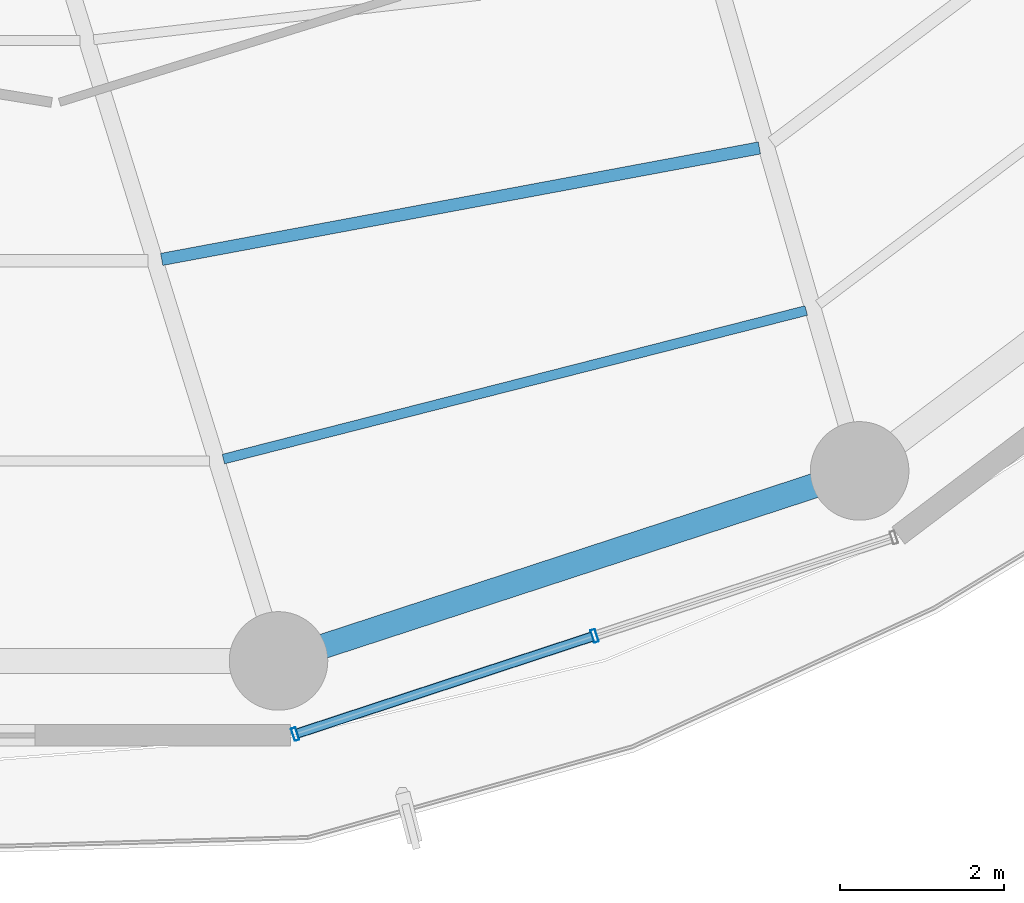
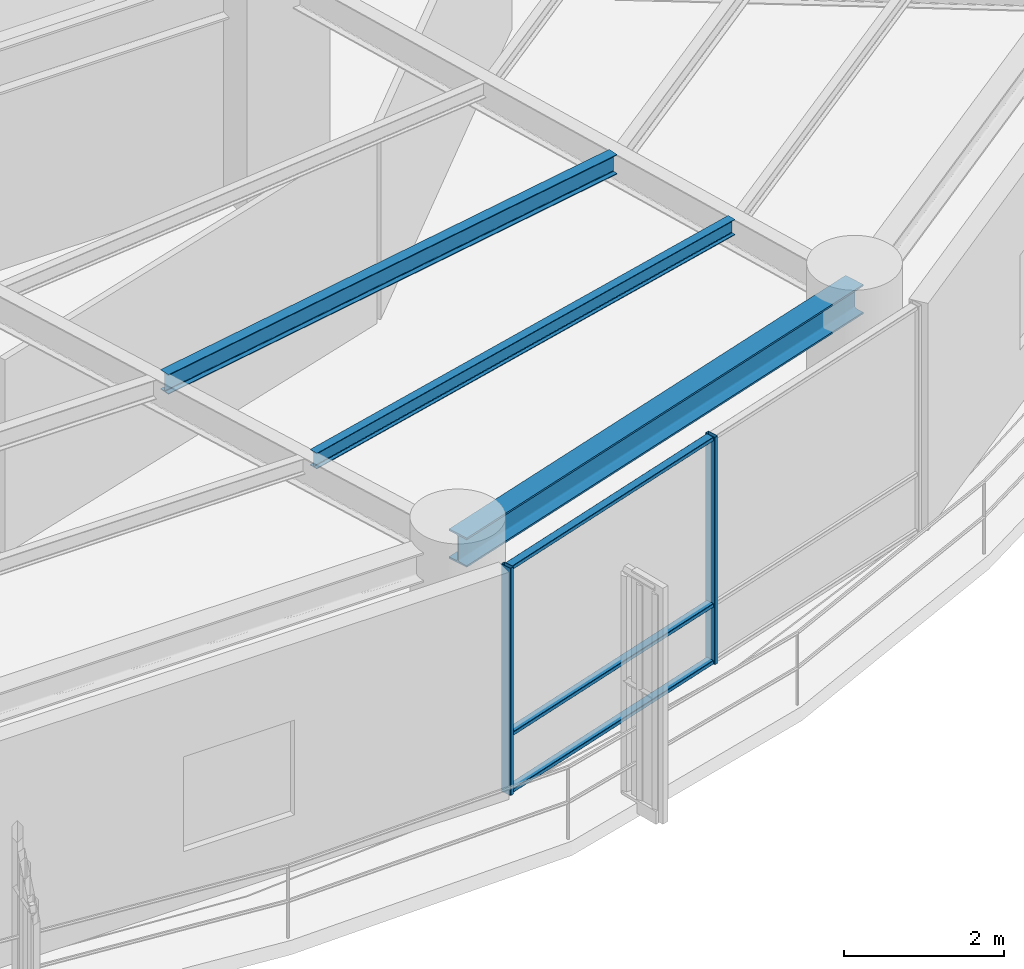
# One storey, part 4 of 28: 5 members, 3 beams, 1 element without a shape of its own.
"""IFC4 building model written with IfcOpenShell, lengths in metres."""

from ifc_helpers import new_model, si_unit, direction, frame, origin, origin_2d, place, context, subcontext, project, spatial, hollow_rectangle, i_section, extrude, material, layer, layer_set, material_profile, profile_set, type_object, element, aggregate, save


model = new_model("IFC4")

# Units and contexts
model_context = context("Model", 3, precision=1e-05, world=origin(), true_north=direction((0.0, 1.0)))
body_context = subcontext(model_context, "Body", "Model", "MODEL_VIEW")
ifc_project = project(units=[si_unit("LENGTHUNIT", "METRE"), si_unit("AREAUNIT", "SQUARE_METRE"), si_unit("VOLUMEUNIT", "CUBIC_METRE"), si_unit("PLANEANGLEUNIT", "RADIAN"), si_unit("MASSUNIT", "GRAM", prefix="KILO")], contexts=[model_context])

# Site, building, storey
site_placement = place(None, origin())
site = spatial("IfcSite", under=ifc_project, at=site_placement, CompositionType="ELEMENT")
building_placement = place(site_placement, origin())
building = spatial("IfcBuilding", under=site, at=building_placement, Name="Kelanora Arch Commons", CompositionType="ELEMENT")
storey_placement = place(building_placement, frame((0.0, 0.0, 161.85009765625)))
storey = spatial("IfcBuildingStorey", under=building, at=storey_placement, Name="L41", CompositionType="ELEMENT", Elevation=161.85009765625)

# Beams
ifc_material_1 = material(Name="Steel S355", Category="steel")
ifc_material_profile_1 = material_profile(ifc_material_1, i_section(OverallWidth=0.14990234375, OverallDepth=0.300048828125, WebThickness=0.007080078125, FlangeThickness=0.0107421875, FilletRadius=0.014892578125, at=origin_2d()), Name="IPE300")
ifc_profile_set_1 = profile_set([ifc_material_profile_1], Name="Steel S355")
beam_type_1 = type_object("IfcBeamType", Name="BM-JST-01", PredefinedType="JOIST", material=ifc_profile_set_1)
beam_1_placement = place(storey_placement, frame((76.34228515625, 43.705078125, 3.33984375), z_axis=(0.983054256126, 0.183314837134, 0.0), x_axis=(-0.183314837134, 0.983054256126, 0.0)))
element("IfcBeam", 1, at=beam_1_placement, inside=storey, type_object=beam_type_1, Name="Secondary Chord Joist BJB-28 L41", PredefinedType="JOIST", context=body_context, shape_type="SweptSolid", body=[
    extrude(i_section(OverallWidth=0.14990234375, OverallDepth=0.300048828125, WebThickness=0.007080078125, FlangeThickness=0.0107421875, FilletRadius=0.014892578125, at=origin_2d()), origin(), (0.0, 0.0, 1.0), 7.403564453125),
])
ifc_material_profile_2 = material_profile(ifc_material_1, i_section(OverallWidth=0.1201171875, OverallDepth=0.239990234375, WebThickness=0.006103515625, FlangeThickness=0.009765625, FilletRadius=0.014892578125, at=origin_2d()), Name="IPE240")
ifc_profile_set_2 = profile_set([ifc_material_profile_2], Name="Steel S355")
beam_type_2 = type_object("IfcBeamType", Name="BM-JST-02", PredefinedType="JOIST", material=ifc_profile_set_2)
beam_2_placement = place(storey_placement, frame((77.093994140625, 41.273681640625, 3.369873046875), z_axis=(0.96900232943, 0.247051584815, 0.0), x_axis=(-0.247051584815, 0.96900232943, 0.0)))
element("IfcBeam", 2, at=beam_2_placement, inside=storey, type_object=beam_type_2, Name="Secondary Chord Joist BJC-28 L41", PredefinedType="JOIST", context=body_context, shape_type="SweptSolid", body=[
    extrude(i_section(OverallWidth=0.1201171875, OverallDepth=0.239990234375, WebThickness=0.006103515625, FlangeThickness=0.009765625, FilletRadius=0.014892578125, at=origin_2d()), origin(), (0.0, 0.0, 1.0), 7.32275390625),
])
ifc_material_profile_3 = material_profile(ifc_material_1, i_section(OverallWidth=0.300048828125, OverallDepth=0.449951171875, WebThickness=0.013916015625, FlangeThickness=0.02587890625, FilletRadius=0.027099609375, at=origin_2d()), Name="HEB450")
ifc_profile_set_3 = profile_set([ifc_material_profile_3], Name="Steel S355")
beam_type_3 = type_object("IfcBeamType", Name="BM-SPN-Z3", PredefinedType="SPANDREL", material=ifc_profile_set_3)
beam_3_placement = place(storey_placement, frame((77.7646484375, 38.81591796875, 3.264892578125), z_axis=(0.950461975786, 0.310840847676, 0.0), x_axis=(-0.310840847676, 0.950461975786, 0.0)))
element("IfcBeam", 3, at=beam_3_placement, inside=storey, type_object=beam_type_3, Name="Perimeter Spandrel Beam BS-28 L41", PredefinedType="SPANDREL", context=body_context, shape_type="SweptSolid", body=[
    extrude(i_section(OverallWidth=0.300048828125, OverallDepth=0.449951171875, WebThickness=0.013916015625, FlangeThickness=0.02587890625, FilletRadius=0.027099609375, at=origin_2d()), origin(), (0.0, 0.0, 1.0), 7.444091796875),
])

# Curtain wall, members
ifc_material_2 = material(Name="Terracotta ceramic-fritted low-E glass and aluminium", Category="masonry")
ifc_layer = layer(ifc_material_2, 0.175048828125)
ifc_layer_set = layer_set([ifc_layer], Name="Terracotta ceramic-fritted low-E glass and aluminium")
curtain_wall_type = type_object("IfcCurtainWallType", Name="CW-SYS-02", PredefinedType="NOTDEFINED", material=ifc_layer_set)
curtain_wall_placement = place(storey_placement, origin())
curtain_wall = element("IfcCurtainWall", 4, at=curtain_wall_placement, inside=storey, type_object=curtain_wall_type, Name="Unitised Curtain Wall L41-B14", PredefinedType="NOTDEFINED")
ifc_material_3 = material(Name="Powder-coated aluminium terracotta", Category="masonry")
ifc_material_profile_4 = material_profile(ifc_material_3, hollow_rectangle(XDim=0.159912109375, YDim=0.06005859375, WallThickness=0.0048828125, InnerFilletRadius=0.0048828125, OuterFilletRadius=0.010009765625, at=origin_2d()), Name="CWM160x60")
ifc_profile_set_4 = profile_set([ifc_material_profile_4], Name="Powder-coated aluminium terracotta")
member_type_1 = type_object("IfcMemberType", Name="CWM-STD", PredefinedType="MULLION", material=ifc_profile_set_4)
member_1_placement = place(storey_placement, frame((77.96728515625, 37.924072265625, 0.0), z_axis=(0.0, 0.0, 1.0), x_axis=(-0.312128279571, 0.95003996605, 0.0)))
member_1 = element("IfcMember", 5, at=member_1_placement, type_object=member_type_1, Name="CW-02 mullion 1", PredefinedType="MULLION", context=body_context, shape_type="SweptSolid", body=[
    extrude(hollow_rectangle(XDim=0.159912109375, YDim=0.06005859375, WallThickness=0.0048828125, InnerFilletRadius=0.0048828125, OuterFilletRadius=0.010009765625, at=origin_2d()), origin(), (0.0, 0.0, 1.0), 3.474853515625),
])
member_2_placement = place(storey_placement, frame((81.6123046875, 39.12158203125, 0.0), z_axis=(0.0, 0.0, 1.0), x_axis=(-0.312128279571, 0.95003996605, 0.0)))
member_2 = element("IfcMember", 6, at=member_2_placement, type_object=member_type_1, Name="CW-02 mullion 2", PredefinedType="MULLION", context=body_context, shape_type="SweptSolid", body=[
    extrude(hollow_rectangle(XDim=0.159912109375, YDim=0.06005859375, WallThickness=0.0048828125, InnerFilletRadius=0.0048828125, OuterFilletRadius=0.010009765625, at=origin_2d()), origin(), (0.0, 0.0, 1.0), 3.474853515625),
])
ifc_material_profile_5 = material_profile(ifc_material_3, hollow_rectangle(XDim=0.1201171875, YDim=0.06005859375, WallThickness=0.0048828125, InnerFilletRadius=0.0048828125, OuterFilletRadius=0.010009765625, at=origin_2d()), Name="CWT120x60")
ifc_profile_set_5 = profile_set([ifc_material_profile_5], Name="Powder-coated aluminium terracotta")
member_type_2 = type_object("IfcMemberType", Name="CWT-STD", PredefinedType="USERDEFINED", material=ifc_profile_set_5)
member_3_placement = place(storey_placement, frame((77.99560546875, 37.933349609375, 0.02978515625), z_axis=(0.950051191155, 0.312094111104, 0.0), x_axis=(-0.312094111104, 0.950051191155, 0.0)))
member_3 = element("IfcMember", 7, at=member_3_placement, type_object=member_type_2, Name="CW-02 transom 1.1", ObjectType="TRANSOM", PredefinedType="USERDEFINED", context=body_context, shape_type="SweptSolid", body=[
    extrude(hollow_rectangle(XDim=0.1201171875, YDim=0.06005859375, WallThickness=0.0048828125, InnerFilletRadius=0.0048828125, OuterFilletRadius=0.010009765625, at=origin_2d()), origin(), (0.0, 0.0, 1.0), 3.77685546875),
])
member_4_placement = place(storey_placement, frame((77.99560546875, 37.933349609375, 0.89990234375), z_axis=(0.950051191155, 0.312094111104, 0.0), x_axis=(-0.312094111104, 0.950051191155, 0.0)))
member_4 = element("IfcMember", 8, at=member_4_placement, type_object=member_type_2, Name="CW-02 transom 1.2", ObjectType="TRANSOM", PredefinedType="USERDEFINED", context=body_context, shape_type="SweptSolid", body=[
    extrude(hollow_rectangle(XDim=0.1201171875, YDim=0.06005859375, WallThickness=0.0048828125, InnerFilletRadius=0.0048828125, OuterFilletRadius=0.010009765625, at=origin_2d()), origin(), (0.0, 0.0, 1.0), 3.77685546875),
])
member_5_placement = place(storey_placement, frame((77.99560546875, 37.933349609375, 3.44482421875), z_axis=(0.950051191155, 0.312094111104, 0.0), x_axis=(-0.312094111104, 0.950051191155, 0.0)))
member_5 = element("IfcMember", 9, at=member_5_placement, type_object=member_type_2, Name="CW-02 transom 1.3", ObjectType="TRANSOM", PredefinedType="USERDEFINED", context=body_context, shape_type="SweptSolid", body=[
    extrude(hollow_rectangle(XDim=0.1201171875, YDim=0.06005859375, WallThickness=0.0048828125, InnerFilletRadius=0.0048828125, OuterFilletRadius=0.010009765625, at=origin_2d()), origin(), (0.0, 0.0, 1.0), 3.77685546875),
])
aggregate(curtain_wall, [member_1, member_2, member_3, member_4, member_5])

save(model, "model.ifc")
